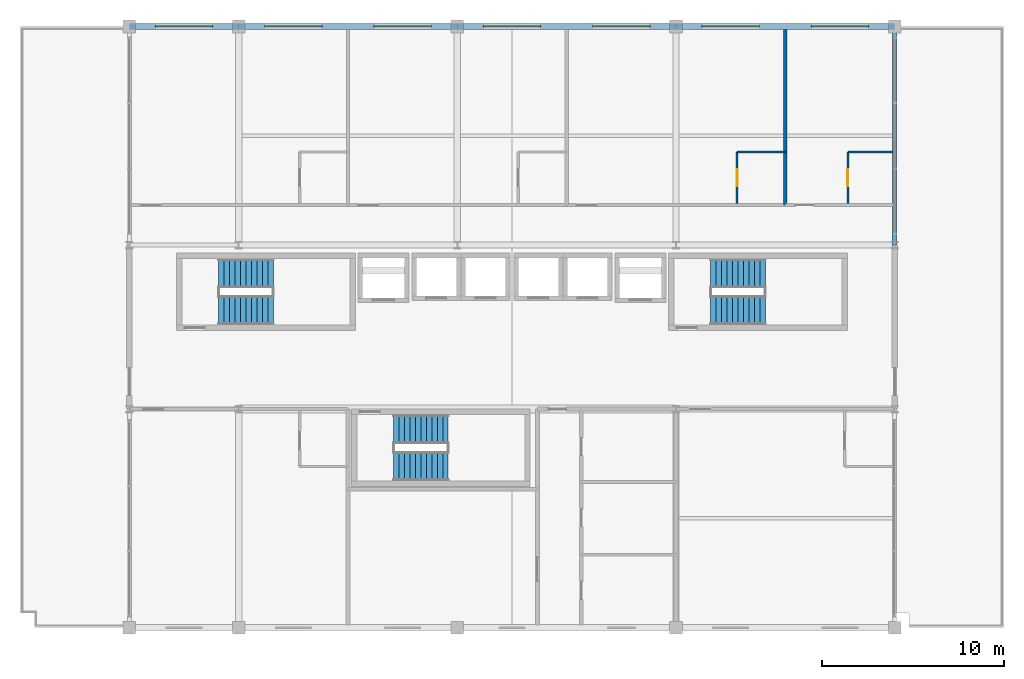
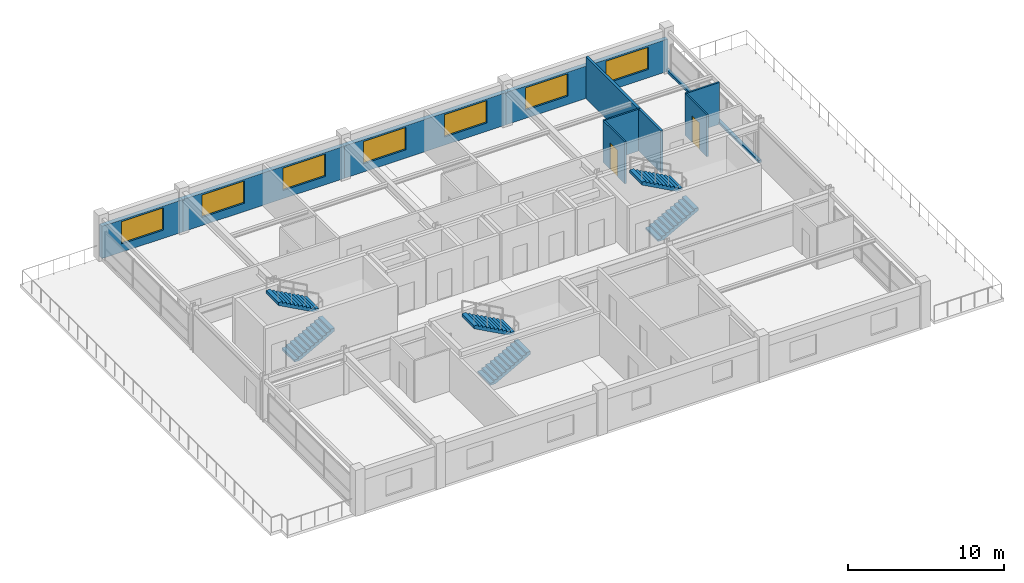
# One storey, part 22 of 24: 10 walls, 7 windows, 6 stair flights, 2 doors, 9 openings, 3 elements without a shape of their own.
"""IFC4 building model written with IfcOpenShell, lengths in metres."""

from ifc_helpers import new_model, si_unit, direction, frame, frame_2d, origin, place, context, subcontext, project, spatial, polyline, rectangle, outline, extrude, material, layer, layer_set, type_object, element, fill, aggregate, save


model = new_model("IFC4")

# Units and contexts
model_context = context("Model", 3, precision=1e-05, world=origin(), true_north=direction((0.0, 1.0)))
body_context = subcontext(model_context, "Body", "Model", "MODEL_VIEW")
ifc_project = project(units=[si_unit("LENGTHUNIT", "METRE"), si_unit("AREAUNIT", "SQUARE_METRE"), si_unit("VOLUMEUNIT", "CUBIC_METRE"), si_unit("PLANEANGLEUNIT", "RADIAN"), si_unit("MASSUNIT", "GRAM", prefix="KILO")], contexts=[model_context])

# Site, building, storey
site_placement = place(None, origin())
site = spatial("IfcSite", under=ifc_project, at=site_placement, CompositionType="ELEMENT")
building_placement = place(site_placement, origin())
building = spatial("IfcBuilding", under=site, at=building_placement, Name="Kaldorvane Square Convention Centre", CompositionType="ELEMENT")
storey_placement = place(building_placement, frame((0.0, 0.0, 60.0)))
storey = spatial("IfcBuildingStorey", under=building, at=storey_placement, Name="L14", CompositionType="ELEMENT", Elevation=60.0)

# Wall, opening, door
ifc_material_1 = material(Name="Fire-Rated Gypsum Board on Acoustic Steel Studs", Category="steel")
ifc_layer_1 = layer(ifc_material_1, 0.125)
ifc_layer_set_1 = layer_set([ifc_layer_1], Name="Fire-Rated Gypsum Board on Acoustic Steel Studs")
wall_type_1 = type_object("IfcWallType", Name="WL-BATH-125", PredefinedType="PARTITIONING", material=ifc_layer_set_1)
wall_1_placement = place(storey_placement, frame((69.35000610351562, 107.28999328613281, 0.0), z_axis=(0.0, 0.0, 1.0), x_axis=(0.0, 1.0, 0.0)))
wall_1 = element("IfcWall", 1, at=wall_1_placement, inside=storey, type_object=wall_type_1, Name="En-Suite 1403 West Wall", PredefinedType="PARTITIONING", context=body_context, shape_type="SweptSolid", body=[
    extrude(rectangle(XDim=2.8100128173828125, YDim=0.125, at=frame_2d((1.404998779296875, 0.0))), origin(), (0.0, 0.0, 1.0), 3.2899932861328125),
])
opening_1_placement = place(wall_1_placement, frame((0.9499969482421875, 0.0, 0.0)))
opening_1 = element("IfcOpeningElement", 2, at=opening_1_placement, cuts=wall_1, Name="Opening ID-12", PredefinedType="OPENING", context=body_context, shape_type="SweptSolid", body=[
    extrude(rectangle(XDim=0.9199981689453125, YDim=2.100006103515625, at=frame_2d((0.459991455078125, 1.0500030517578125))), frame((0.0, 0.0774993896484375, 0.0), z_axis=(0.0, -1.0, 0.0), x_axis=(1.0, 0.0, 0.0)), (0.0, 0.0, 1.0), 0.154998779296875),
])
ifc_material_2 = material(Name="Architectural Solid-Core White Oak")
door_type = type_object("IfcDoorType", Name="DR-BATH-0920X2100", OperationType="SINGLE_SWING_RIGHT", PredefinedType="DOOR", material=ifc_material_2)
door_1_placement = place(opening_1_placement, origin())
door_1 = element("IfcDoor", 3, at=door_1_placement, inside=storey, type_object=door_type, Name="En-Suite Bathroom 1403 Door", OperationType="SINGLE_SWING_RIGHT", OverallHeight=2.100006103515625, OverallWidth=0.9199981689453125, PredefinedType="DOOR", context=body_context, shape_type="SweptSolid", body=[
    extrude(rectangle(XDim=0.9199981689453125, YDim=2.100006103515625, at=frame_2d((0.459991455078125, 1.0500030517578125))), frame((0.0, 0.024993896484375, 0.0), z_axis=(0.0, -1.0, 0.0), x_axis=(1.0, 0.0, 0.0)), (0.0, 0.0, 1.0), 0.0500030517578125),
])
fill(opening_1, door_1)

# Wall
wall_2_placement = place(storey_placement, frame((69.35000610351562, 110.10000610351562, 0.0), z_axis=(0.0, 0.0, 1.0), x_axis=(1.0, 0.0, 0.0)))
element("IfcWall", 4, at=wall_2_placement, inside=storey, type_object=wall_type_1, Name="En-Suite 1403 North Wall", PredefinedType="PARTITIONING", context=body_context, shape_type="SweptSolid", body=[
    extrude(rectangle(XDim=2.649993896484375, YDim=0.125, at=frame_2d((1.3249969482421875, 0.0))), origin(), (0.0, 0.0, 1.0), 3.2899932861328125),
])

# Wall, opening, door
wall_3_placement = place(storey_placement, frame((75.43499755859375, 107.28999328613281, 0.0), z_axis=(0.0, 0.0, 1.0), x_axis=(0.0, 1.0, 0.0)))
wall_3 = element("IfcWall", 5, at=wall_3_placement, inside=storey, type_object=wall_type_1, Name="En-Suite 1404 West Wall", PredefinedType="PARTITIONING", context=body_context, shape_type="SweptSolid", body=[
    extrude(rectangle(XDim=2.8100128173828125, YDim=0.125, at=frame_2d((1.404998779296875, 0.0))), origin(), (0.0, 0.0, 1.0), 3.2899932861328125),
])
opening_2_placement = place(wall_3_placement, frame((0.9499969482421875, 0.0, 0.0)))
opening_2 = element("IfcOpeningElement", 6, at=opening_2_placement, cuts=wall_3, Name="Opening ID-12", PredefinedType="OPENING", context=body_context, shape_type="SweptSolid", body=[
    extrude(rectangle(XDim=0.9199981689453125, YDim=2.100006103515625, at=frame_2d((0.459991455078125, 1.0500030517578125))), frame((0.0, 0.0774993896484375, 0.0), z_axis=(0.0, -1.0, 0.0), x_axis=(1.0, 0.0, 0.0)), (0.0, 0.0, 1.0), 0.154998779296875),
])
door_2_placement = place(opening_2_placement, origin())
door_2 = element("IfcDoor", 7, at=door_2_placement, inside=storey, type_object=door_type, Name="En-Suite Bathroom 1404 Door", OperationType="SINGLE_SWING_RIGHT", OverallHeight=2.100006103515625, OverallWidth=0.9199981689453125, PredefinedType="DOOR", context=body_context, shape_type="SweptSolid", body=[
    extrude(rectangle(XDim=0.9199981689453125, YDim=2.100006103515625, at=frame_2d((0.459991455078125, 1.0500030517578125))), frame((0.0, 0.024993896484375, 0.0), z_axis=(0.0, -1.0, 0.0), x_axis=(1.0, 0.0, 0.0)), (0.0, 0.0, 1.0), 0.0500030517578125),
])
fill(opening_2, door_2)

# Wall
wall_4_placement = place(storey_placement, frame((75.43499755859375, 110.10000610351562, 0.0), z_axis=(0.0, 0.0, 1.0), x_axis=(1.0, 0.0, 0.0)))
element("IfcWall", 8, at=wall_4_placement, inside=storey, type_object=wall_type_1, Name="En-Suite 1404 North Wall", PredefinedType="PARTITIONING", context=body_context, shape_type="SweptSolid", body=[
    extrude(rectangle(XDim=2.4799957275390625, YDim=0.125, at=frame_2d((1.239990234375, 0.0))), origin(), (0.0, 0.0, 1.0), 3.2899932861328125),
])

# Wall, opening, window
ifc_material_3 = material(Name="Concrete f'c = 35 MPa (Normalweight)", Category="concrete")
ifc_layer_2 = layer(ifc_material_3, 0.32000732421875)
ifc_layer_set_2 = layer_set([ifc_layer_2], Name="Concrete f'c = 35 MPa (Normalweight)")
wall_type_2 = type_object("IfcWallType", Name="WL-EXT-320", PredefinedType="STANDARD", material=ifc_layer_set_2)
wall_5_placement = place(storey_placement, frame((42.0, 117.0, 0.0), z_axis=(0.0, 0.0, 1.0), x_axis=(-1.0, 0.0, 0.0)))
wall_5 = element("IfcWall", 9, at=wall_5_placement, inside=storey, type_object=wall_type_2, Name="Hotel N Brutalist Facade Wall (L14)", PredefinedType="STANDARD", context=body_context, shape_type="SweptSolid", body=[
    extrude(rectangle(XDim=6.0, YDim=0.32000732421875, at=frame_2d((3.0, 0.0))), origin(), (0.0, 0.0, 1.0), 2.5359954833984375),
])
opening_3_placement = place(wall_5_placement, frame((1.4250030517578125, 0.0, 0.649993896484375)))
opening_3 = element("IfcOpeningElement", 10, at=opening_3_placement, cuts=wall_5, Name="Opening W-10", PredefinedType="OPENING", context=body_context, shape_type="SweptSolid", body=[
    extrude(rectangle(XDim=3.149993896484375, YDim=1.75, at=frame_2d((1.5749969482421875, 0.875))), frame((0.0, 0.1750030517578125, 0.0), z_axis=(0.0, -1.0, 0.0), x_axis=(1.0, 0.0, 0.0)), (0.0, 0.0, 1.0), 0.350006103515625),
])
ifc_material_4 = material(Name="Anodized Aluminum and Low-E Insulated Glazing", Category="aluminium")
window_type = type_object("IfcWindowType", Name="WN-HTL-3150X1750", PartitioningType="TRIPLE_PANEL_VERTICAL", PredefinedType="WINDOW", material=ifc_material_4)
window_1_placement = place(opening_3_placement, origin())
window_1 = element("IfcWindow", 11, at=window_1_placement, inside=storey, type_object=window_type, Name="Hotel N Window (L14)", OverallHeight=1.75, OverallWidth=3.149993896484375, PartitioningType="TRIPLE_PANEL_VERTICAL", PredefinedType="WINDOW", context=body_context, shape_type="SweptSolid", body=[
    extrude(rectangle(XDim=3.149993896484375, YDim=1.75, at=frame_2d((1.5749969482421875, 0.875))), frame((0.0, 0.029998779296875, 0.0), z_axis=(0.0, -1.0, 0.0), x_axis=(1.0, 0.0, 0.0)), (0.0, 0.0, 1.0), 0.05999755859375),
])
fill(opening_3, window_1)

# Wall, openings, windows
wall_6_placement = place(storey_placement, frame((54.0, 117.0, 0.0), z_axis=(0.0, 0.0, 1.0), x_axis=(-1.0, 0.0, 0.0)))
wall_6 = element("IfcWall", 12, at=wall_6_placement, inside=storey, type_object=wall_type_2, Name="Hotel N Brutalist Facade Wall (L14)", PredefinedType="STANDARD", context=body_context, shape_type="SweptSolid", body=[
    extrude(rectangle(XDim=12.0, YDim=0.32000732421875, at=frame_2d((6.0, 0.0))), origin(), (0.0, 0.0, 1.0), 2.5359954833984375),
])
opening_4_placement = place(wall_6_placement, frame((1.4250030517578125, 0.0, 0.649993896484375)))
opening_4 = element("IfcOpeningElement", 13, at=opening_4_placement, cuts=wall_6, Name="Opening W-10", PredefinedType="OPENING", context=body_context, shape_type="SweptSolid", body=[
    extrude(rectangle(XDim=3.149993896484375, YDim=1.75, at=frame_2d((1.5749969482421875, 0.875))), frame((0.0, 0.1750030517578125, 0.0), z_axis=(0.0, -1.0, 0.0), x_axis=(1.0, 0.0, 0.0)), (0.0, 0.0, 1.0), 0.350006103515625),
])
opening_5_placement = place(wall_6_placement, frame((7.4250030517578125, 0.0, 0.649993896484375)))
opening_5 = element("IfcOpeningElement", 14, at=opening_5_placement, cuts=wall_6, Name="Opening W-10", PredefinedType="OPENING", context=body_context, shape_type="SweptSolid", body=[
    extrude(rectangle(XDim=3.149993896484375, YDim=1.75, at=frame_2d((1.5749969482421875, 0.875))), frame((0.0, 0.1750030517578125, 0.0), z_axis=(0.0, -1.0, 0.0), x_axis=(1.0, 0.0, 0.0)), (0.0, 0.0, 1.0), 0.350006103515625),
])
window_2_placement = place(opening_4_placement, origin())
window_2 = element("IfcWindow", 15, at=window_2_placement, inside=storey, type_object=window_type, Name="Hotel N Window (L14)", OverallHeight=1.75, OverallWidth=3.149993896484375, PartitioningType="TRIPLE_PANEL_VERTICAL", PredefinedType="WINDOW", context=body_context, shape_type="SweptSolid", body=[
    extrude(rectangle(XDim=3.149993896484375, YDim=1.75, at=frame_2d((1.5749969482421875, 0.875))), frame((0.0, 0.029998779296875, 0.0), z_axis=(0.0, -1.0, 0.0), x_axis=(1.0, 0.0, 0.0)), (0.0, 0.0, 1.0), 0.05999755859375),
])
fill(opening_4, window_2)
window_3_placement = place(opening_5_placement, origin())
window_3 = element("IfcWindow", 16, at=window_3_placement, inside=storey, type_object=window_type, Name="Hotel N Window (L14)", OverallHeight=1.75, OverallWidth=3.149993896484375, PartitioningType="TRIPLE_PANEL_VERTICAL", PredefinedType="WINDOW", context=body_context, shape_type="SweptSolid", body=[
    extrude(rectangle(XDim=3.149993896484375, YDim=1.75, at=frame_2d((1.5749969482421875, 0.875))), frame((0.0, 0.029998779296875, 0.0), z_axis=(0.0, -1.0, 0.0), x_axis=(1.0, 0.0, 0.0)), (0.0, 0.0, 1.0), 0.05999755859375),
])
fill(opening_5, window_3)

wall_7_placement = place(storey_placement, frame((66.0, 117.0, 0.0), z_axis=(0.0, 0.0, 1.0), x_axis=(-1.0, 0.0, 0.0)))
wall_7 = element("IfcWall", 17, at=wall_7_placement, inside=storey, type_object=wall_type_2, Name="Hotel N Brutalist Facade Wall (L14)", PredefinedType="STANDARD", context=body_context, shape_type="SweptSolid", body=[
    extrude(rectangle(XDim=12.0, YDim=0.32000732421875, at=frame_2d((6.0, 0.0))), origin(), (0.0, 0.0, 1.0), 2.5359954833984375),
])
opening_6_placement = place(wall_7_placement, frame((1.4250030517578125, 0.0, 0.649993896484375)))
opening_6 = element("IfcOpeningElement", 18, at=opening_6_placement, cuts=wall_7, Name="Opening W-10", PredefinedType="OPENING", context=body_context, shape_type="SweptSolid", body=[
    extrude(rectangle(XDim=3.149993896484375, YDim=1.75, at=frame_2d((1.5749969482421875, 0.875))), frame((0.0, 0.1750030517578125, 0.0), z_axis=(0.0, -1.0, 0.0), x_axis=(1.0, 0.0, 0.0)), (0.0, 0.0, 1.0), 0.350006103515625),
])
opening_7_placement = place(wall_7_placement, frame((7.4250030517578125, 0.0, 0.649993896484375)))
opening_7 = element("IfcOpeningElement", 19, at=opening_7_placement, cuts=wall_7, Name="Opening W-10", PredefinedType="OPENING", context=body_context, shape_type="SweptSolid", body=[
    extrude(rectangle(XDim=3.149993896484375, YDim=1.75, at=frame_2d((1.5749969482421875, 0.875))), frame((0.0, 0.1750030517578125, 0.0), z_axis=(0.0, -1.0, 0.0), x_axis=(1.0, 0.0, 0.0)), (0.0, 0.0, 1.0), 0.350006103515625),
])
window_4_placement = place(opening_6_placement, origin())
window_4 = element("IfcWindow", 20, at=window_4_placement, inside=storey, type_object=window_type, Name="Hotel N Window (L14)", OverallHeight=1.75, OverallWidth=3.149993896484375, PartitioningType="TRIPLE_PANEL_VERTICAL", PredefinedType="WINDOW", context=body_context, shape_type="SweptSolid", body=[
    extrude(rectangle(XDim=3.149993896484375, YDim=1.75, at=frame_2d((1.5749969482421875, 0.875))), frame((0.0, 0.029998779296875, 0.0), z_axis=(0.0, -1.0, 0.0), x_axis=(1.0, 0.0, 0.0)), (0.0, 0.0, 1.0), 0.05999755859375),
])
fill(opening_6, window_4)
window_5_placement = place(opening_7_placement, origin())
window_5 = element("IfcWindow", 21, at=window_5_placement, inside=storey, type_object=window_type, Name="Hotel N Window (L14)", OverallHeight=1.75, OverallWidth=3.149993896484375, PartitioningType="TRIPLE_PANEL_VERTICAL", PredefinedType="WINDOW", context=body_context, shape_type="SweptSolid", body=[
    extrude(rectangle(XDim=3.149993896484375, YDim=1.75, at=frame_2d((1.5749969482421875, 0.875))), frame((0.0, 0.029998779296875, 0.0), z_axis=(0.0, -1.0, 0.0), x_axis=(1.0, 0.0, 0.0)), (0.0, 0.0, 1.0), 0.05999755859375),
])
fill(opening_7, window_5)

wall_8_placement = place(storey_placement, frame((78.0, 117.0, 0.0), z_axis=(0.0, 0.0, 1.0), x_axis=(-1.0, 0.0, 0.0)))
wall_8 = element("IfcWall", 22, at=wall_8_placement, inside=storey, type_object=wall_type_2, Name="Hotel N Brutalist Facade Wall (L14)", PredefinedType="STANDARD", context=body_context, shape_type="SweptSolid", body=[
    extrude(rectangle(XDim=12.0, YDim=0.32000732421875, at=frame_2d((6.0, 0.0))), origin(), (0.0, 0.0, 1.0), 2.5359954833984375),
])
opening_8_placement = place(wall_8_placement, frame((1.4250030517578125, 0.0, 0.649993896484375)))
opening_8 = element("IfcOpeningElement", 23, at=opening_8_placement, cuts=wall_8, Name="Opening W-10", PredefinedType="OPENING", context=body_context, shape_type="SweptSolid", body=[
    extrude(rectangle(XDim=3.149993896484375, YDim=1.75, at=frame_2d((1.5749969482421875, 0.875))), frame((0.0, 0.1750030517578125, 0.0), z_axis=(0.0, -1.0, 0.0), x_axis=(1.0, 0.0, 0.0)), (0.0, 0.0, 1.0), 0.350006103515625),
])
opening_9_placement = place(wall_8_placement, frame((7.4250030517578125, 0.0, 0.649993896484375)))
opening_9 = element("IfcOpeningElement", 24, at=opening_9_placement, cuts=wall_8, Name="Opening W-10", PredefinedType="OPENING", context=body_context, shape_type="SweptSolid", body=[
    extrude(rectangle(XDim=3.149993896484375, YDim=1.75, at=frame_2d((1.5749969482421875, 0.875))), frame((0.0, 0.1750030517578125, 0.0), z_axis=(0.0, -1.0, 0.0), x_axis=(1.0, 0.0, 0.0)), (0.0, 0.0, 1.0), 0.350006103515625),
])
window_6_placement = place(opening_8_placement, origin())
window_6 = element("IfcWindow", 25, at=window_6_placement, inside=storey, type_object=window_type, Name="Hotel N Window (L14)", OverallHeight=1.75, OverallWidth=3.149993896484375, PartitioningType="TRIPLE_PANEL_VERTICAL", PredefinedType="WINDOW", context=body_context, shape_type="SweptSolid", body=[
    extrude(rectangle(XDim=3.149993896484375, YDim=1.75, at=frame_2d((1.5749969482421875, 0.875))), frame((0.0, 0.029998779296875, 0.0), z_axis=(0.0, -1.0, 0.0), x_axis=(1.0, 0.0, 0.0)), (0.0, 0.0, 1.0), 0.05999755859375),
])
fill(opening_8, window_6)
window_7_placement = place(opening_9_placement, origin())
window_7 = element("IfcWindow", 26, at=window_7_placement, inside=storey, type_object=window_type, Name="Hotel N Window (L14)", OverallHeight=1.75, OverallWidth=3.149993896484375, PartitioningType="TRIPLE_PANEL_VERTICAL", PredefinedType="WINDOW", context=body_context, shape_type="SweptSolid", body=[
    extrude(rectangle(XDim=3.149993896484375, YDim=1.75, at=frame_2d((1.5749969482421875, 0.875))), frame((0.0, 0.029998779296875, 0.0), z_axis=(0.0, -1.0, 0.0), x_axis=(1.0, 0.0, 0.0)), (0.0, 0.0, 1.0), 0.05999755859375),
])
fill(opening_9, window_7)

# Walls
ifc_layer_3 = layer(ifc_material_3, 0.220001220703125)
ifc_layer_set_3 = layer_set([ifc_layer_3], Name="Concrete f'c = 35 MPa (Normalweight)")
wall_type_3 = type_object("IfcWallType", Name="WL-PAR-220", PredefinedType="PARAPET", material=ifc_layer_set_3)
wall_9_placement = place(storey_placement, frame((78.0, 105.0, 0.0), z_axis=(0.0, 0.0, 1.0), x_axis=(0.0, 1.0, 0.0)))
element("IfcWall", 27, at=wall_9_placement, inside=storey, type_object=wall_type_3, Name="Hotel End Curtain-Wall Sill (L14)", PredefinedType="PARAPET", context=body_context, shape_type="SweptSolid", body=[
    extrude(rectangle(XDim=12.0, YDim=0.220001220703125, at=frame_2d((6.0, 0.0))), origin(), (0.0, 0.0, 1.0), 0.1999969482421875),
])
ifc_layer_4 = layer(ifc_material_1, 0.17999267578125)
ifc_layer_set_4 = layer_set([ifc_layer_4], Name="Fire-Rated Gypsum Board on Acoustic Steel Studs")
wall_type_4 = type_object("IfcWallType", Name="WL-UNIT-180", PredefinedType="PARTITIONING", material=ifc_layer_set_4)
wall_10_placement = place(storey_placement, frame((72.0, 107.19999694824219, 0.0), z_axis=(0.0, 0.0, 1.0), x_axis=(0.0, 1.0, 0.0)))
element("IfcWall", 28, at=wall_10_placement, inside=storey, type_object=wall_type_4, Name="Guestroom Demising Wall 1403", PredefinedType="PARTITIONING", context=body_context, shape_type="SweptSolid", body=[
    extrude(rectangle(XDim=9.639999389648438, YDim=0.17999267578125, at=frame_2d((4.82000732421875, 0.0))), origin(), (0.0, 0.0, 1.0), 3.2899932861328125),
])

# Stair, stair flights
ifc_material_5 = material(Name="Concrete f'c = 42 MPa (Normalweight)", Category="concrete")
stair_type = type_object("IfcStairType", Name="ST-DL-1600-3600", PredefinedType="HALF_TURN_STAIR", material=ifc_material_5)
stair_1_placement = place(storey_placement, origin())
stair_1 = element("IfcStair", 29, at=stair_1_placement, inside=storey, type_object=stair_type, Name="Tower Exit Stair T1 (L14)", PredefinedType="HALF_TURN_STAIR")
stair_flight_type = type_object("IfcStairFlightType", Name="SF-STR-1600-11R", PredefinedType="STRAIGHT", material=ifc_material_5)
stair_flight_1_placement = place(storey_placement, frame((40.899993896484375, 101.41000366210938, 0.0), z_axis=(0.0, 0.0, 1.0), x_axis=(1.0, 0.0, 0.0)))
stair_flight_1 = element("IfcStairFlight", 30, at=stair_flight_1_placement, type_object=stair_flight_type, Name="Tower Exit Stair T1 Flight 1 (L14)", NumberOfRisers=11, NumberOfTreads=10, PredefinedType="STRAIGHT", RiserHeight=0.163636364, TreadLength=0.3, context=body_context, shape_type="SweptSolid", body=[
    extrude(outline(polyline([(0.0, 0.0), (0.0, 0.16363525390625), (0.3000030517578125, 0.16363525390625), (0.3000030517578125, 0.3272705078125), (0.600006103515625, 0.3272705078125), (0.600006103515625, 0.49090576171875), (0.899993896484375, 0.49090576171875), (0.899993896484375, 0.654541015625), (1.1999969482421875, 0.654541015625), (1.1999969482421875, 0.81817626953125), (1.5, 0.81817626953125), (1.5, 0.9818115234375), (1.8000030517578125, 0.9818115234375), (1.8000030517578125, 1.1454620361328125), (2.100006103515625, 1.1454620361328125), (2.100006103515625, 1.3090972900390625), (2.399993896484375, 1.3090972900390625), (2.399993896484375, 1.4727325439453125), (2.6999969482421875, 1.4727325439453125), (2.6999969482421875, 1.6363677978515625), (3.0, 1.6363677978515625), (3.0, 1.8000030517578125), (3.0, 1.4085540771484375), (0.41766357421875, 0.0), (0.0, 0.0)])), frame((0.0, 0.8000030517578125, 0.0), z_axis=(0.0, -1.0, 0.0), x_axis=(1.0, 0.0, 0.0)), (0.0, 0.0, 1.0), 1.600006103515625),
])
stair_flight_2_placement = place(storey_placement, frame((43.899993896484375, 103.44999694824219, 1.8000030517578125), z_axis=(0.0, 0.0, 1.0), x_axis=(-1.0, 0.0, 0.0)))
stair_flight_2 = element("IfcStairFlight", 31, at=stair_flight_2_placement, type_object=stair_flight_type, Name="Tower Exit Stair T1 Flight 2 (L14)", NumberOfRisers=11, NumberOfTreads=10, PredefinedType="STRAIGHT", RiserHeight=0.163636364, TreadLength=0.3, context=body_context, shape_type="SweptSolid", body=[
    extrude(outline(polyline([(0.0, 0.0), (0.0, 0.16363525390625), (0.3000030517578125, 0.16363525390625), (0.3000030517578125, 0.3272705078125), (0.600006103515625, 0.3272705078125), (0.600006103515625, 0.49090576171875), (0.899993896484375, 0.49090576171875), (0.899993896484375, 0.654541015625), (1.1999969482421875, 0.654541015625), (1.1999969482421875, 0.81817626953125), (1.5, 0.81817626953125), (1.5, 0.9818115234375), (1.8000030517578125, 0.9818115234375), (1.8000030517578125, 1.1454620361328125), (2.100006103515625, 1.1454620361328125), (2.100006103515625, 1.3090972900390625), (2.399993896484375, 1.3090972900390625), (2.399993896484375, 1.4727325439453125), (2.6999969482421875, 1.4727325439453125), (2.6999969482421875, 1.6363677978515625), (3.0, 1.6363677978515625), (3.0, 1.8000030517578125), (3.0, 1.4085540771484375), (0.41766357421875, 0.0), (0.0, 0.0)])), frame((0.0, 0.8000030517578125, 0.0), z_axis=(0.0, -1.0, 0.0), x_axis=(1.0, 0.0, 0.0)), (0.0, 0.0, 1.0), 1.600006103515625),
])
aggregate(stair_1, [stair_flight_1, stair_flight_2])

stair_2_placement = place(storey_placement, origin())
stair_2 = element("IfcStair", 32, at=stair_2_placement, inside=storey, type_object=stair_type, Name="Tower Exit Stair T2 (L14)", PredefinedType="HALF_TURN_STAIR")
stair_flight_3_placement = place(storey_placement, frame((67.89999389648438, 101.41000366210938, 0.0), z_axis=(0.0, 0.0, 1.0), x_axis=(1.0, 0.0, 0.0)))
stair_flight_3 = element("IfcStairFlight", 33, at=stair_flight_3_placement, type_object=stair_flight_type, Name="Tower Exit Stair T2 Flight 1 (L14)", NumberOfRisers=11, NumberOfTreads=10, PredefinedType="STRAIGHT", RiserHeight=0.163636364, TreadLength=0.3, context=body_context, shape_type="SweptSolid", body=[
    extrude(outline(polyline([(0.0, 0.0), (0.0, 0.16363525390625), (0.3000030517578125, 0.16363525390625), (0.3000030517578125, 0.3272705078125), (0.600006103515625, 0.3272705078125), (0.600006103515625, 0.49090576171875), (0.899993896484375, 0.49090576171875), (0.899993896484375, 0.654541015625), (1.1999969482421875, 0.654541015625), (1.1999969482421875, 0.81817626953125), (1.5, 0.81817626953125), (1.5, 0.9818115234375), (1.8000030517578125, 0.9818115234375), (1.8000030517578125, 1.1454620361328125), (2.100006103515625, 1.1454620361328125), (2.100006103515625, 1.3090972900390625), (2.399993896484375, 1.3090972900390625), (2.399993896484375, 1.4727325439453125), (2.6999969482421875, 1.4727325439453125), (2.6999969482421875, 1.6363677978515625), (3.0, 1.6363677978515625), (3.0, 1.8000030517578125), (3.0, 1.4085540771484375), (0.41766357421875, 0.0), (0.0, 0.0)])), frame((0.0, 0.8000030517578125, 0.0), z_axis=(0.0, -1.0, 0.0), x_axis=(1.0, 0.0, 0.0)), (0.0, 0.0, 1.0), 1.600006103515625),
])
stair_flight_4_placement = place(storey_placement, frame((70.89999389648438, 103.44999694824219, 1.8000030517578125), z_axis=(0.0, 0.0, 1.0), x_axis=(-1.0, 0.0, 0.0)))
stair_flight_4 = element("IfcStairFlight", 34, at=stair_flight_4_placement, type_object=stair_flight_type, Name="Tower Exit Stair T2 Flight 2 (L14)", NumberOfRisers=11, NumberOfTreads=10, PredefinedType="STRAIGHT", RiserHeight=0.163636364, TreadLength=0.3, context=body_context, shape_type="SweptSolid", body=[
    extrude(outline(polyline([(0.0, 0.0), (0.0, 0.16363525390625), (0.3000030517578125, 0.16363525390625), (0.3000030517578125, 0.3272705078125), (0.600006103515625, 0.3272705078125), (0.600006103515625, 0.49090576171875), (0.899993896484375, 0.49090576171875), (0.899993896484375, 0.654541015625), (1.1999969482421875, 0.654541015625), (1.1999969482421875, 0.81817626953125), (1.5, 0.81817626953125), (1.5, 0.9818115234375), (1.8000030517578125, 0.9818115234375), (1.8000030517578125, 1.1454620361328125), (2.100006103515625, 1.1454620361328125), (2.100006103515625, 1.3090972900390625), (2.399993896484375, 1.3090972900390625), (2.399993896484375, 1.4727325439453125), (2.6999969482421875, 1.4727325439453125), (2.6999969482421875, 1.6363677978515625), (3.0, 1.6363677978515625), (3.0, 1.8000030517578125), (3.0, 1.4085540771484375), (0.41766357421875, 0.0), (0.0, 0.0)])), frame((0.0, 0.8000030517578125, 0.0), z_axis=(0.0, -1.0, 0.0), x_axis=(1.0, 0.0, 0.0)), (0.0, 0.0, 1.0), 1.600006103515625),
])
aggregate(stair_2, [stair_flight_3, stair_flight_4])

stair_3_placement = place(storey_placement, origin())
stair_3 = element("IfcStair", 35, at=stair_3_placement, inside=storey, type_object=stair_type, Name="Tower Exit Stair T3 (L14)", PredefinedType="HALF_TURN_STAIR")
stair_flight_5_placement = place(storey_placement, frame((50.5, 92.86000061035156, 0.0), z_axis=(0.0, 0.0, 1.0), x_axis=(1.0, 0.0, 0.0)))
stair_flight_5 = element("IfcStairFlight", 36, at=stair_flight_5_placement, type_object=stair_flight_type, Name="Tower Exit Stair T3 Flight 1 (L14)", NumberOfRisers=11, NumberOfTreads=10, PredefinedType="STRAIGHT", RiserHeight=0.163636364, TreadLength=0.3, context=body_context, shape_type="SweptSolid", body=[
    extrude(outline(polyline([(0.0, 0.0), (0.0, 0.16363525390625), (0.3000030517578125, 0.16363525390625), (0.3000030517578125, 0.3272705078125), (0.600006103515625, 0.3272705078125), (0.600006103515625, 0.49090576171875), (0.899993896484375, 0.49090576171875), (0.899993896484375, 0.654541015625), (1.1999969482421875, 0.654541015625), (1.1999969482421875, 0.81817626953125), (1.5, 0.81817626953125), (1.5, 0.9818115234375), (1.8000030517578125, 0.9818115234375), (1.8000030517578125, 1.1454620361328125), (2.100006103515625, 1.1454620361328125), (2.100006103515625, 1.3090972900390625), (2.399993896484375, 1.3090972900390625), (2.399993896484375, 1.4727325439453125), (2.6999969482421875, 1.4727325439453125), (2.6999969482421875, 1.6363677978515625), (3.0, 1.6363677978515625), (3.0, 1.8000030517578125), (3.0, 1.4085540771484375), (0.41766357421875, 0.0), (0.0, 0.0)])), frame((0.0, 0.8000030517578125, 0.0), z_axis=(0.0, -1.0, 0.0), x_axis=(1.0, 0.0, 0.0)), (0.0, 0.0, 1.0), 1.600006103515625),
])
stair_flight_6_placement = place(storey_placement, frame((53.5, 94.89999389648438, 1.8000030517578125), z_axis=(0.0, 0.0, 1.0), x_axis=(-1.0, 0.0, 0.0)))
stair_flight_6 = element("IfcStairFlight", 37, at=stair_flight_6_placement, type_object=stair_flight_type, Name="Tower Exit Stair T3 Flight 2 (L14)", NumberOfRisers=11, NumberOfTreads=10, PredefinedType="STRAIGHT", RiserHeight=0.163636364, TreadLength=0.3, context=body_context, shape_type="SweptSolid", body=[
    extrude(outline(polyline([(0.0, 0.0), (0.0, 0.16363525390625), (0.3000030517578125, 0.16363525390625), (0.3000030517578125, 0.3272705078125), (0.600006103515625, 0.3272705078125), (0.600006103515625, 0.49090576171875), (0.899993896484375, 0.49090576171875), (0.899993896484375, 0.654541015625), (1.1999969482421875, 0.654541015625), (1.1999969482421875, 0.81817626953125), (1.5, 0.81817626953125), (1.5, 0.9818115234375), (1.8000030517578125, 0.9818115234375), (1.8000030517578125, 1.1454620361328125), (2.100006103515625, 1.1454620361328125), (2.100006103515625, 1.3090972900390625), (2.399993896484375, 1.3090972900390625), (2.399993896484375, 1.4727325439453125), (2.6999969482421875, 1.4727325439453125), (2.6999969482421875, 1.6363677978515625), (3.0, 1.6363677978515625), (3.0, 1.8000030517578125), (3.0, 1.4085540771484375), (0.41766357421875, 0.0), (0.0, 0.0)])), frame((0.0, 0.8000030517578125, 0.0), z_axis=(0.0, -1.0, 0.0), x_axis=(1.0, 0.0, 0.0)), (0.0, 0.0, 1.0), 1.600006103515625),
])
aggregate(stair_3, [stair_flight_5, stair_flight_6])

save(model, "model.ifc")
